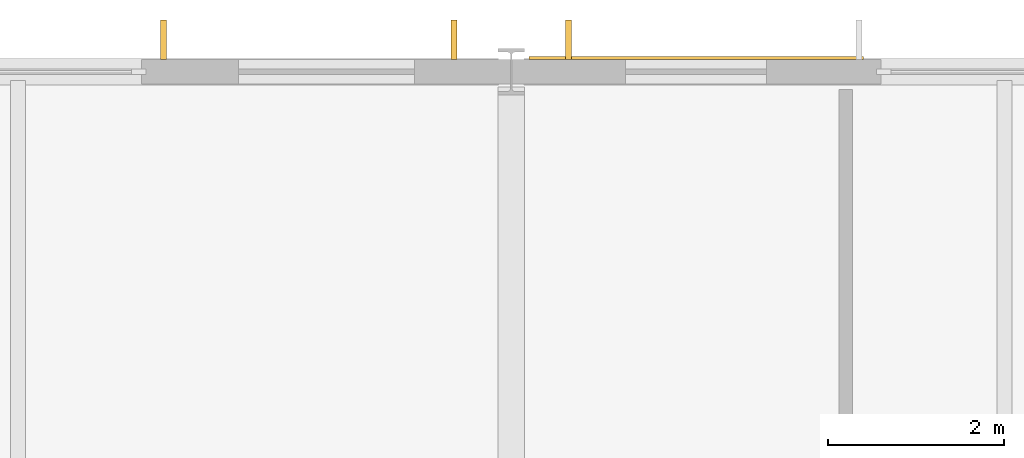
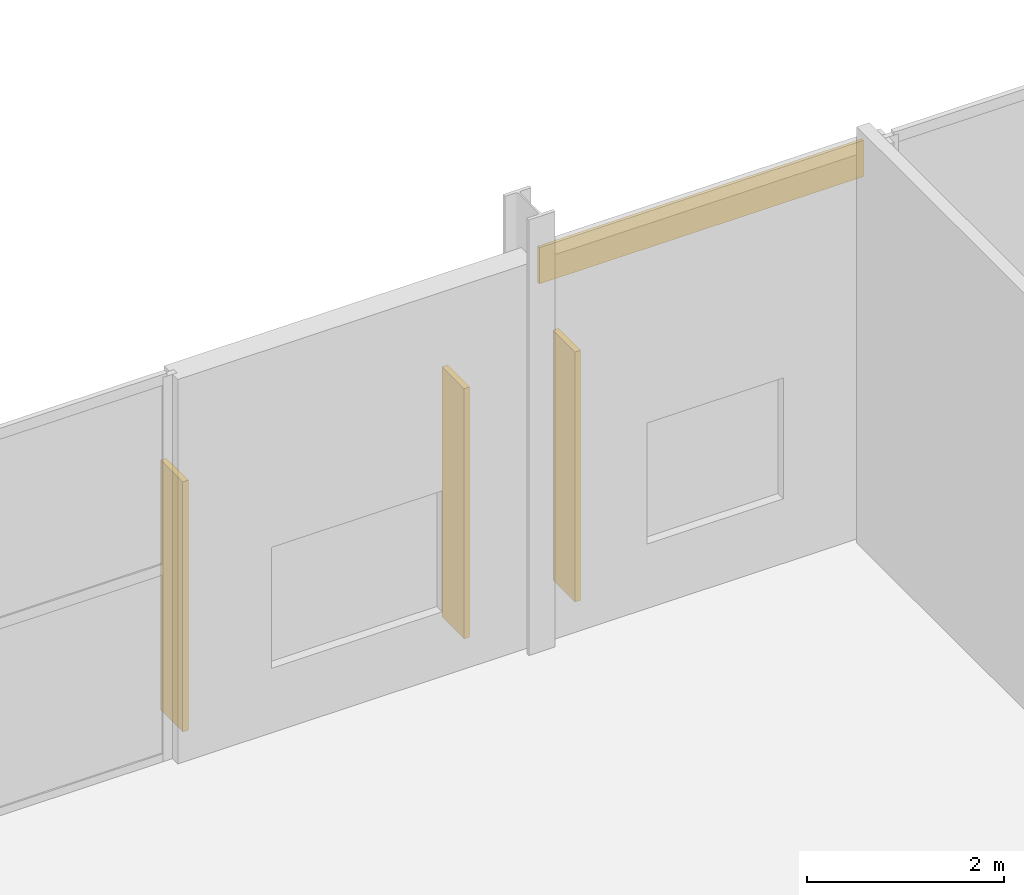
# One storey, part 78 of 84: 3 shading devices, 1 covering.
"""IFC4 building model written with IfcOpenShell, lengths in metres."""

from ifc_helpers import new_model, si_unit, direction, frame, origin, origin_2d, place, context, subcontext, project, spatial, rectangle, extrude, material, layer, layer_set, type_object, element, save


model = new_model("IFC4")

# Units and contexts
model_context = context("Model", 3, precision=1e-05, world=origin(), true_north=direction((0.0, 1.0)))
body_context = subcontext(model_context, "Body", "Model", "MODEL_VIEW")
ifc_project = project(units=[si_unit("LENGTHUNIT", "METRE"), si_unit("AREAUNIT", "SQUARE_METRE"), si_unit("VOLUMEUNIT", "CUBIC_METRE"), si_unit("PLANEANGLEUNIT", "RADIAN"), si_unit("MASSUNIT", "GRAM", prefix="KILO")], contexts=[model_context])

# Site, building, storey
site_placement = place(None, origin())
site = spatial("IfcSite", under=ifc_project, at=site_placement, CompositionType="ELEMENT")
building_placement = place(site_placement, origin())
building = spatial("IfcBuilding", under=site, at=building_placement, Name="Kimbaza Rail Terminus", CompositionType="ELEMENT")
storey_placement = place(building_placement, frame((0.0, 0.0, 5.39990234375)))
storey = spatial("IfcBuildingStorey", under=building, at=storey_placement, Name="L01", CompositionType="ELEMENT", Elevation=5.39990234375)

# Covering
ifc_material_1 = material(Name="Champagne anodised aluminium spandrel cladding", Category="aluminium")
ifc_layer = layer(ifc_material_1, 0.034912109375)
ifc_layer_set = layer_set([ifc_layer], Name="Champagne anodised aluminium spandrel cladding")
covering_type = type_object("IfcCoveringType", Name="ARC-COV-CLD1", PredefinedType="CLADDING", material=ifc_layer_set)
covering_placement = place(storey_placement, frame((141.300048828125, 133.156005859375, 4.240234375), z_axis=(0.0, 0.0, 1.0), x_axis=(1.0, 0.0, 0.0)))
element("IfcCovering", 1, at=covering_placement, inside=storey, type_object=covering_type, Name="North Spandrel Cladding L01 Bay 6", PredefinedType="CLADDING", context=body_context, shape_type="SweptSolid", body=[
    extrude(rectangle(XDim=3.800048828125, YDim=0.034912109375, at=origin_2d()), origin(), (0.0, 0.0, 1.0), 0.449951171875),
])

# Shading devices
ifc_material_2 = material(Name="Champagne anodised extruded aluminium", Category="aluminium")
shading_device_type = type_object("IfcShadingDeviceType", Name="ARC-SHD-FIN450", PredefinedType="USERDEFINED", material=ifc_material_2)
for number, where, z_axis, x_axis, name in (
    (2, (135.25, 133.363037109375, 0.150146484375), (0.0, 0.0, 1.0), (1.0, 0.0, 0.0), "North Solar Fin L01 Bay 5.3"),
    (3, (138.550048828125, 133.363037109375, 0.150146484375), (0.0, 0.0, 1.0), (1.0, 0.0, 0.0), "North Solar Fin L01 Bay 5.4"),
    (4, (139.85009765625, 133.363037109375, 0.150146484375), (0.0, 0.0, 1.0), (1.0, 0.0, 0.0), "North Solar Fin L01 Bay 6.1"),
):
    element("IfcShadingDevice", number, at=place(storey_placement, frame(where, z_axis=z_axis, x_axis=x_axis)), inside=storey, type_object=shading_device_type, Name=name, ObjectType="BRISE SOLEIL FIN", PredefinedType="USERDEFINED", context=body_context, shape_type="SweptSolid", body=[
        extrude(rectangle(XDim=0.06494140625, YDim=0.449951171875, at=origin_2d()), origin(), (0.0, 0.0, 1.0), 3.10009765625),
    ])

save(model, "model.ifc")
